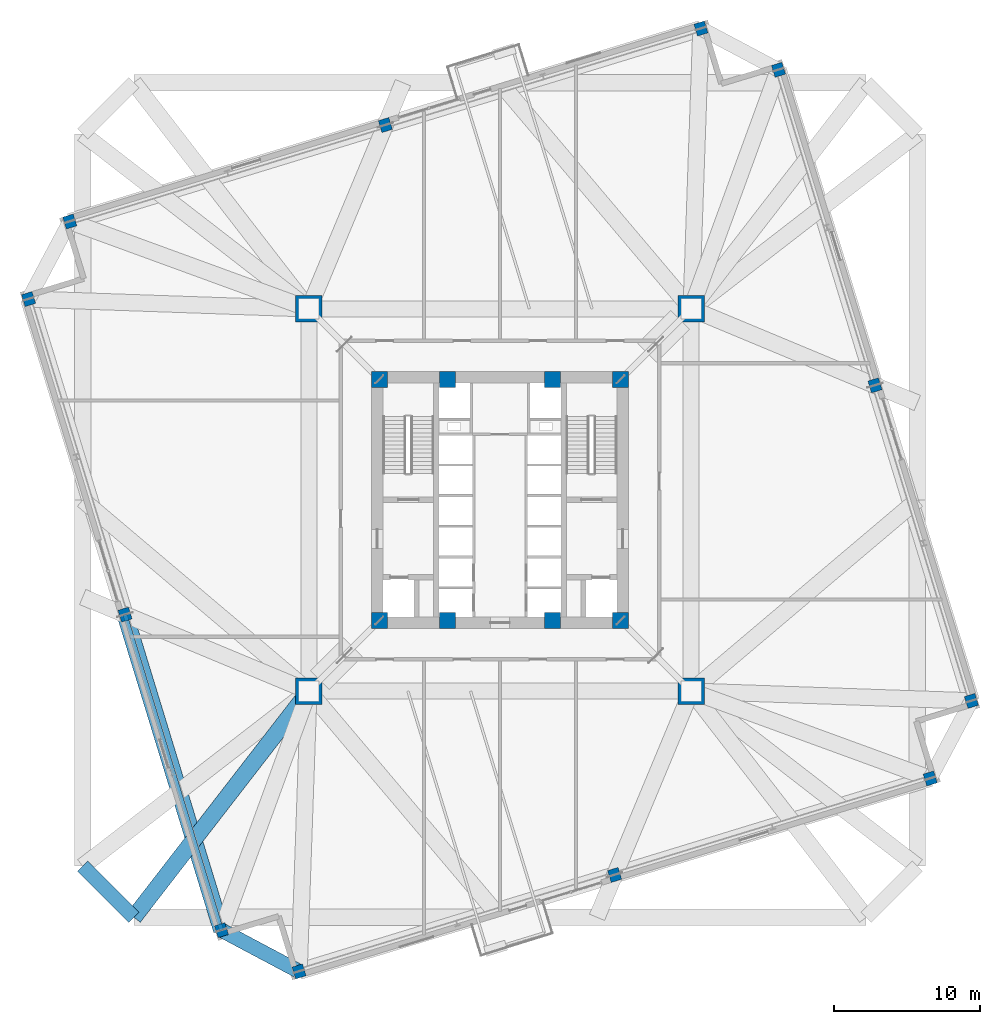
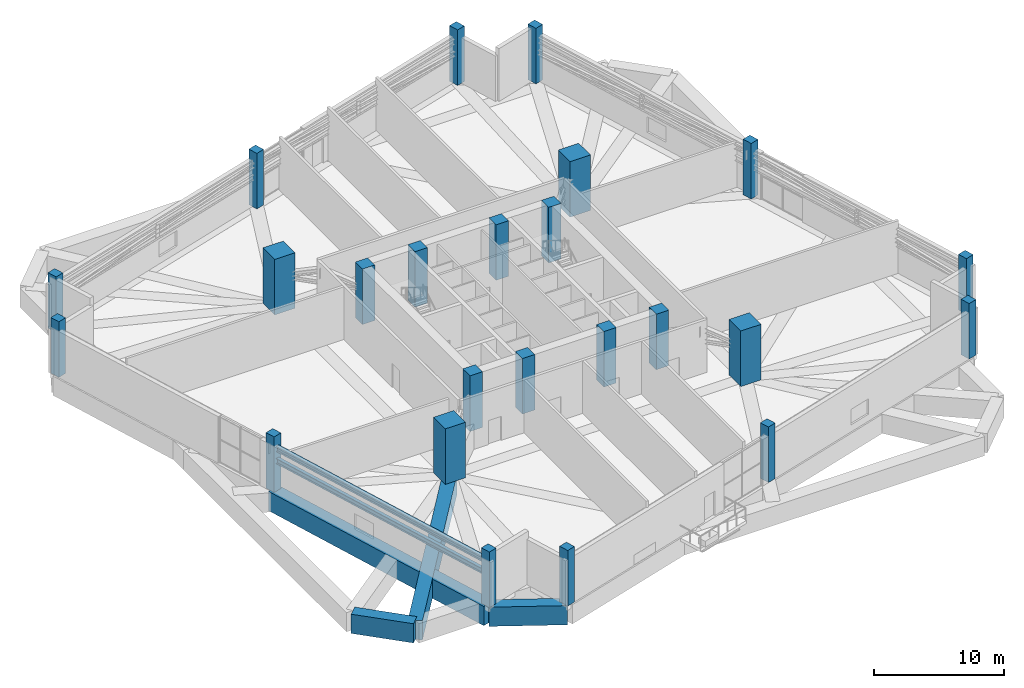
# One storey, part 1 of 22: 24 columns, 4 beams, 2 members.
"""IFC4 building model written with IfcOpenShell, lengths in metres."""

from ifc_helpers import new_model, si_unit, direction, frame, origin, origin_2d, place, context, subcontext, project, spatial, rectangle, i_section, extrude, source, transform, mapped, material, material_profile, profile_set, type_object, element, save


model = new_model("IFC4")

# Units and contexts
model_context = context("Model", 3, precision=1e-05, world=origin(), true_north=direction((0.0, 1.0)))
body_context = subcontext(model_context, "Body", "Model", "MODEL_VIEW")
ifc_project = project(units=[si_unit("LENGTHUNIT", "METRE"), si_unit("AREAUNIT", "SQUARE_METRE"), si_unit("VOLUMEUNIT", "CUBIC_METRE"), si_unit("PLANEANGLEUNIT", "RADIAN"), si_unit("MASSUNIT", "GRAM", prefix="KILO"), si_unit("THERMODYNAMICTEMPERATUREUNIT", "KELVIN")], contexts=[model_context])

# Site, building, storey
site_placement = place(None, origin())
site = spatial("IfcSite", under=ifc_project, at=site_placement, CompositionType="ELEMENT")
building_placement = place(site_placement, origin())
building = spatial("IfcBuilding", under=site, at=building_placement, Name="Kosmvard Interchange Tower", CompositionType="ELEMENT")
storey_placement = place(building_placement, frame((0.0, 0.0, 78.0)))
storey = spatial("IfcBuildingStorey", under=building, at=storey_placement, Name="L18", CompositionType="ELEMENT", Elevation=78.0)

# Columns
ifc_material_1 = material(Name="Concrete C80/95", Category="concrete")
ifc_material_profile_1 = material_profile(ifc_material_1, rectangle(XDim=1.10009765625, YDim=1.10009765625, at=origin_2d()), Name="CP 1100x1100")
ifc_profile_set_1 = profile_set([ifc_material_profile_1], Name="Concrete C80/95")
column_type_1 = type_object("IfcColumnType", Name="Core Boundary Pilaster 1100x1100 C80/95", PredefinedType="PILASTER", material=ifc_profile_set_1)
shared_shape_1 = source(origin(), body_context, "Body", "SweptSolid", [
    extrude(rectangle(XDim=1.10009765625, YDim=1.10009765625, at=origin_2d()), origin(), (0.0, 0.0, 1.0), 5.199951171875),
])
for number, where, z_axis, x_axis, name in (
    (1, (-8.25, -8.25, 0.0), (0.0, 0.0, 1.0), (1.0, 0.0, 0.0), "L18 Core Pilaster CP1"),
    (2, (8.25, -8.25, 0.0), (0.0, 0.0, 1.0), (1.0, 0.0, 0.0), "L18 Core Pilaster CP2"),
    (3, (8.25, 8.25, 0.0), (0.0, 0.0, 1.0), (1.0, 0.0, 0.0), "L18 Core Pilaster CP3"),
    (4, (-8.25, 8.25, 0.0), (0.0, 0.0, 1.0), (1.0, 0.0, 0.0), "L18 Core Pilaster CP4"),
    (5, (-3.60009765625, -8.25, 0.0), (0.0, 0.0, 1.0), (1.0, 0.0, 0.0), "L18 Core Pilaster CP5"),
    (6, (3.60009765625, -8.25, 0.0), (0.0, 0.0, 1.0), (1.0, 0.0, 0.0), "L18 Core Pilaster CP6"),
    (7, (-3.60009765625, 8.25, 0.0), (0.0, 0.0, 1.0), (1.0, 0.0, 0.0), "L18 Core Pilaster CP7"),
    (8, (3.60009765625, 8.25, 0.0), (0.0, 0.0, 1.0), (1.0, 0.0, 0.0), "L18 Core Pilaster CP8"),
):
    element("IfcColumn", number, at=place(storey_placement, frame(where, z_axis=z_axis, x_axis=x_axis)), inside=storey, type_object=column_type_1, Name=name, PredefinedType="PILASTER", context=body_context, shape_type="MappedRepresentation", body=[
        mapped(shared_shape_1, transform((0.0, 0.0, 0.0), scale=1.0)),
    ])
ifc_material_profile_2 = material_profile(ifc_material_1, rectangle(XDim=1.800048828125, YDim=1.800048828125, at=origin_2d()), Name="MC 1800x1800")
ifc_profile_set_2 = profile_set([ifc_material_profile_2], Name="Concrete C80/95")
column_type_2 = type_object("IfcColumnType", Name="Composite Mega-Column 1800x1800 C80/95", PredefinedType="COLUMN", material=ifc_profile_set_2)
shared_shape_2 = source(origin(), body_context, "Body", "SweptSolid", [
    extrude(rectangle(XDim=1.800048828125, YDim=1.800048828125, at=origin_2d()), origin(), (0.0, 0.0, 1.0), 5.199951171875),
])
for number, where, z_axis, x_axis, name in (
    (9, (-13.0810546875, -13.0810546875, 0.0), (0.0, 0.0, 1.0), (1.0, 0.0, 0.0), "L18 Corner Mega-Column MC1"),
    (10, (13.0810546875, -13.0810546875, 0.0), (0.0, 0.0, 1.0), (1.0, 0.0, 0.0), "L18 Corner Mega-Column MC2"),
    (11, (13.0810546875, 13.0810546875, 0.0), (0.0, 0.0, 1.0), (1.0, 0.0, 0.0), "L18 Corner Mega-Column MC3"),
    (12, (-13.0810546875, 13.0810546875, 0.0), (0.0, 0.0, 1.0), (1.0, 0.0, 0.0), "L18 Corner Mega-Column MC4"),
):
    element("IfcColumn", number, at=place(storey_placement, frame(where, z_axis=z_axis, x_axis=x_axis)), inside=storey, type_object=column_type_2, Name=name, PredefinedType="COLUMN", context=body_context, shape_type="MappedRepresentation", body=[
        mapped(shared_shape_2, transform((0.0, 0.0, 0.0), scale=1.0)),
    ])
ifc_material_2 = material(Name="Concrete C60/75", Category="concrete")
ifc_material_profile_3 = material_profile(ifc_material_2, rectangle(XDim=0.75, YDim=0.85009765625, at=origin_2d()), Name="TC 850x750")
ifc_profile_set_3 = profile_set([ifc_material_profile_3], Name="Concrete C60/75")
column_type_3 = type_object("IfcColumnType", Name="Zone 2 Perimeter Pier Column 850x750 C60/75", PredefinedType="COLUMN", material=ifc_profile_set_3)
shared_shape_3 = source(origin(), body_context, "Body", "SweptSolid", [
    extrude(rectangle(XDim=0.75, YDim=0.85009765625, at=origin_2d()), origin(), (0.0, 0.0, 1.0), 5.199951171875),
])
for number, where, z_axis, x_axis, name in (
    (13, (-13.74560546875, -32.253173828125, 0.0), (0.0, 0.0, 1.0), (0.956304755963, 0.292371704723, 0.0), "L18 Perimeter Pier Column TC-S1"),
    (14, (7.8427734375, -25.65283203125, 0.0), (0.0, 0.0, 1.0), (0.956304755963, 0.292371704723, 0.0), "L18 Perimeter Pier Column TC-S2"),
    (15, (29.431396484375, -19.052490234375, 0.0), (0.0, 0.0, 1.0), (0.956304755963, 0.292371704723, 0.0), "L18 Perimeter Pier Column TC-S3"),
    (16, (32.253173828125, -13.74560546875, 0.0), (0.0, 0.0, 1.0), (0.956304755963, 0.292371704723, 0.0), "L18 Perimeter Pier Column TC-E1"),
    (17, (25.65283203125, 7.8427734375, 0.0), (0.0, 0.0, 1.0), (0.956304755963, 0.292371704723, 0.0), "L18 Perimeter Pier Column TC-E2"),
    (18, (19.052490234375, 29.431396484375, 0.0), (0.0, 0.0, 1.0), (0.956304755963, 0.292371704723, 0.0), "L18 Perimeter Pier Column TC-E3"),
    (19, (13.74560546875, 32.253173828125, 0.0), (0.0, 0.0, 1.0), (0.956304755963, 0.292371704723, 0.0), "L18 Perimeter Pier Column TC-N1"),
    (20, (-7.8427734375, 25.65283203125, 0.0), (0.0, 0.0, 1.0), (0.956304755963, 0.292371704723, 0.0), "L18 Perimeter Pier Column TC-N2"),
    (21, (-29.431396484375, 19.052490234375, 0.0), (0.0, 0.0, 1.0), (0.956304755963, 0.292371704723, 0.0), "L18 Perimeter Pier Column TC-N3"),
    (22, (-32.253173828125, 13.74560546875, 0.0), (0.0, 0.0, 1.0), (0.956304755963, 0.292371704723, 0.0), "L18 Perimeter Pier Column TC-W1"),
    (23, (-25.65283203125, -7.8427734375, 0.0), (0.0, 0.0, 1.0), (0.956304755963, 0.292371704723, 0.0), "L18 Perimeter Pier Column TC-W2"),
    (24, (-19.052490234375, -29.431396484375, 0.0), (0.0, 0.0, 1.0), (0.956304755963, 0.292371704723, 0.0), "L18 Perimeter Pier Column TC-W3"),
):
    element("IfcColumn", number, at=place(storey_placement, frame(where, z_axis=z_axis, x_axis=x_axis)), inside=storey, type_object=column_type_3, Name=name, PredefinedType="COLUMN", context=body_context, shape_type="MappedRepresentation", body=[
        mapped(shared_shape_3, transform((0.0, 0.0, 0.0), scale=1.0)),
    ])

# Beams
ifc_material_profile_4 = material_profile(ifc_material_2, rectangle(XDim=1.1201171875, YDim=1.800048828125, at=origin_2d()), Name="TG 1120x1800")
ifc_profile_set_4 = profile_set([ifc_material_profile_4], Name="Concrete C60/75")
beam_type_1 = type_object("IfcBeamType", Name="Zone Long-Span Transfer Girder 1120x1800 C60/75", PredefinedType="USERDEFINED", material=ifc_profile_set_4)
shared_shape_4 = source(origin(), body_context, "Body", "SweptSolid", [
    extrude(rectangle(XDim=1.1201171875, YDim=1.800048828125, at=origin_2d()), origin(), (0.0, 0.0, 1.0), 19.558837890625),
])
beam_1_placement = place(storey_placement, frame((-13.0810546875, -13.0810546875, -0.89990234375), z_axis=(-0.611949354357, -0.79089695138, 0.0), x_axis=(0.79089695138, -0.611949354357, 0.0)))
element("IfcBeam", 25, at=beam_1_placement, inside=storey, type_object=beam_type_1, Name="BM-L18-LD01", ObjectType="TRANSFER_GIRDER", PredefinedType="USERDEFINED", context=body_context, shape_type="MappedRepresentation", body=[
    mapped(shared_shape_4, transform((0.0, 0.0, 0.0), scale=1.0)),
])
ifc_material_profile_5 = material_profile(ifc_material_2, rectangle(XDim=1.0, YDim=1.800048828125, at=origin_2d()), Name="TG 1000x1800")
ifc_profile_set_5 = profile_set([ifc_material_profile_5], Name="Concrete C60/75")
beam_type_2 = type_object("IfcBeamType", Name="Zone Transfer Ring Girder 1000x1800 C60/75", PredefinedType="USERDEFINED", material=ifc_profile_set_5)
shared_shape_5 = source(origin(), body_context, "Body", "SweptSolid", [
    extrude(rectangle(XDim=1.0, YDim=1.800048828125, at=origin_2d()), origin(), (0.0, 0.0, 1.0), 4.94970703125),
])
beam_2_placement = place(storey_placement, frame((-28.550048828125, -25.050048828125, -0.89990234375), z_axis=(0.707106781187, -0.707106781187, 0.0), x_axis=(0.707106781187, 0.707106781187, 0.0)))
element("IfcBeam", 26, at=beam_2_placement, inside=storey, type_object=beam_type_2, Name="BM-L18-LR12", ObjectType="TRANSFER_GIRDER", PredefinedType="USERDEFINED", context=body_context, shape_type="MappedRepresentation", body=[
    mapped(shared_shape_5, transform((0.0, 0.0, 0.0), scale=1.0)),
])
shared_shape_6 = source(origin(), body_context, "Body", "SweptSolid", [
    extrude(rectangle(XDim=1.1201171875, YDim=1.800048828125, at=origin_2d()), origin(), (0.0, 0.0, 1.0), 22.574951171875),
])
beam_3_placement = place(storey_placement, frame((-25.65283203125, -7.8427734375, -0.89990234375), z_axis=(0.292373218222, -0.956304293239, 0.0), x_axis=(0.956304293239, 0.292373218222, 0.0)))
element("IfcBeam", 27, at=beam_3_placement, inside=storey, type_object=beam_type_1, Name="BM-L18-PR11", ObjectType="TRANSFER_GIRDER", PredefinedType="USERDEFINED", context=body_context, shape_type="MappedRepresentation", body=[
    mapped(shared_shape_6, transform((0.0, 0.0, 0.0), scale=1.0)),
])
shared_shape_7 = source(origin(), body_context, "Body", "SweptSolid", [
    extrude(rectangle(XDim=1.0, YDim=1.800048828125, at=origin_2d()), origin(), (0.0, 0.0, 1.0), 6.010498046875),
])
beam_4_placement = place(storey_placement, frame((-19.052490234375, -29.431396484375, -0.89990234375), z_axis=(0.882943685114, -0.469478912111, 0.0), x_axis=(0.469478912111, 0.882943685114, 0.0)))
element("IfcBeam", 28, at=beam_4_placement, inside=storey, type_object=beam_type_2, Name="BM-L18-PR12", ObjectType="TRANSFER_GIRDER", PredefinedType="USERDEFINED", context=body_context, shape_type="MappedRepresentation", body=[
    mapped(shared_shape_7, transform((0.0, 0.0, 0.0), scale=1.0)),
])

# Members
ifc_material_3 = material(Name="Steel S460", Category="steel")
ifc_material_profile_6 = material_profile(ifc_material_3, i_section(OverallWidth=0.300048828125, OverallDepth=0.5, WebThickness=0.014404296875, FlangeThickness=0.028076171875, FilletRadius=0.027099609375, at=origin_2d()), Name="HEB 500")
ifc_profile_set_6 = profile_set([ifc_material_profile_6], Name="Steel S460")
member_type = type_object("IfcMemberType", Name="Belt Truss Chord HEB 500 S460", PredefinedType="CHORD", material=ifc_profile_set_6)
shared_shape_8 = source(origin(), body_context, "Body", "SweptSolid", [
    extrude(i_section(OverallWidth=0.300048828125, OverallDepth=0.5, WebThickness=0.014404296875, FlangeThickness=0.028076171875, FilletRadius=0.027099609375, at=origin_2d()), origin(), (0.0, 0.0, 1.0), 22.574951171875),
])
for number, where, z_axis, x_axis, name in (
    (29, (-25.65283203125, -7.8427734375, 2.820068359375), (0.292373218222, -0.956304293239, 0.0), (0.956304293239, 0.292373218222, 0.0), "L18 Belt Truss Bottom Chord W2"),
    (30, (-25.65283203125, -7.8427734375, 3.9599609375), (0.292373218222, -0.956304293239, 0.0), (0.956304293239, 0.292373218222, 0.0), "L18 Belt Truss Top Chord W2"),
):
    element("IfcMember", number, at=place(storey_placement, frame(where, z_axis=z_axis, x_axis=x_axis)), inside=storey, type_object=member_type, Name=name, PredefinedType="CHORD", context=body_context, shape_type="MappedRepresentation", body=[
        mapped(shared_shape_8, transform((0.0, 0.0, 0.0), scale=1.0)),
    ])

save(model, "model.ifc")
